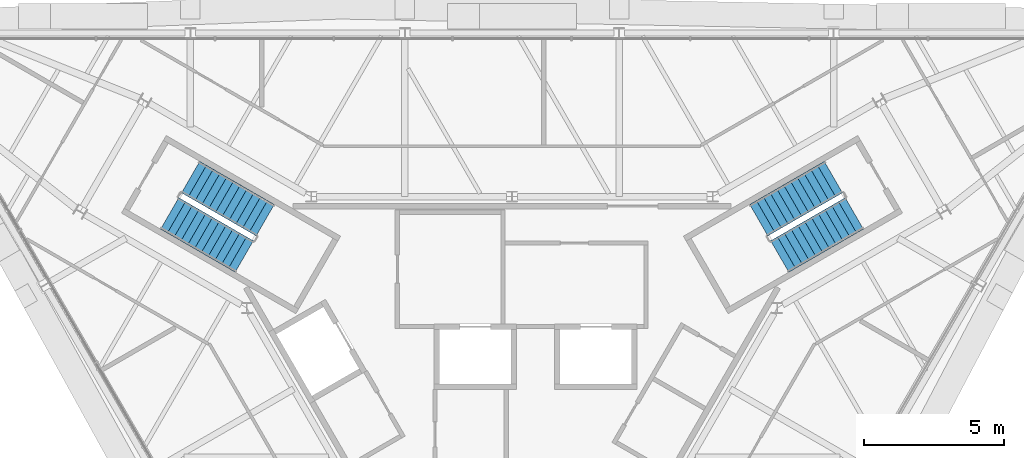
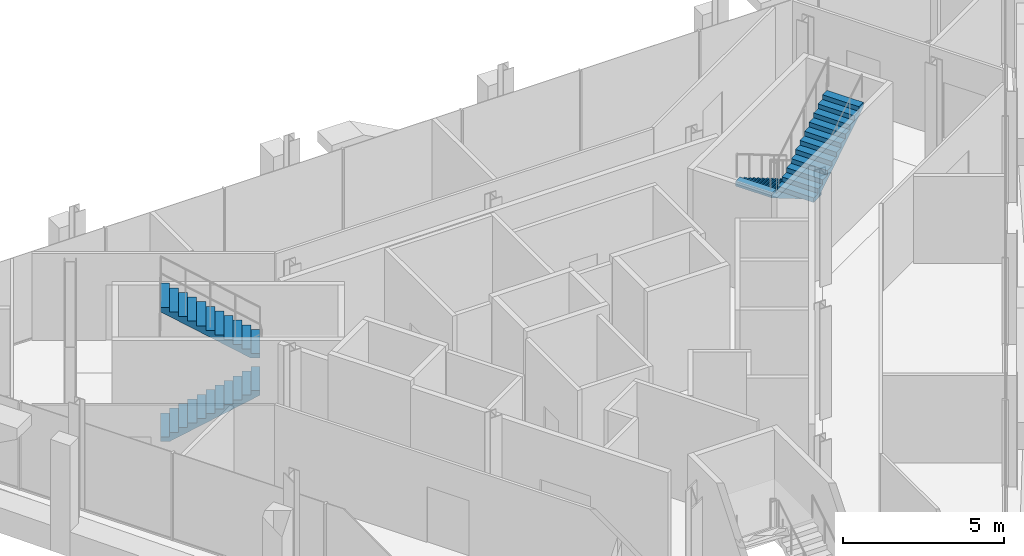
# One storey, part 11 of 13: 4 stair flights, 2 elements without a shape of their own.
"""IFC4 building model written with IfcOpenShell, lengths in metres."""

from ifc_helpers import new_model, si_unit, direction, frame, origin, place, context, subcontext, project, spatial, polyline, outline, extrude, material, type_object, element, aggregate, save


model = new_model("IFC4")

# Units and contexts
model_context = context("Model", 3, precision=1e-05, world=origin(), true_north=direction((0.0, 1.0)))
body_context = subcontext(model_context, "Body", "Model", "MODEL_VIEW")
ifc_project = project(units=[si_unit("LENGTHUNIT", "METRE"), si_unit("AREAUNIT", "SQUARE_METRE"), si_unit("VOLUMEUNIT", "CUBIC_METRE"), si_unit("PLANEANGLEUNIT", "RADIAN"), si_unit("MASSUNIT", "GRAM", prefix="KILO")], contexts=[model_context])

# Site, building, storey
site_placement = place(None, origin())
site = spatial("IfcSite", under=ifc_project, at=site_placement, CompositionType="ELEMENT")
building_placement = place(site_placement, origin())
building = spatial("IfcBuilding", under=site, at=building_placement, Name="Verrane Prism Tower", CompositionType="ELEMENT")
storey_placement = place(building_placement, frame((0.0, 0.0, 312.60009765625)))
storey = spatial("IfcBuildingStorey", under=building, at=storey_placement, Name="L79", CompositionType="ELEMENT", Elevation=312.60009765625)

# Stair, stair flights
ifc_material_1 = material(Name="Concrete C40/50", Category="concrete")
stair_type = type_object("IfcStairType", Name="Exit stair 1300 dog-leg precast concrete C40/50", PredefinedType="HALF_TURN_STAIR", material=ifc_material_1)
stair_1_placement = place(storey_placement, origin())
stair_1 = element("IfcStair", 1, at=stair_1_placement, inside=storey, type_object=stair_type, Name="Stair 1 L79", PredefinedType="HALF_TURN_STAIR")
ifc_material_2 = material(Name="Concrete C40/50", Category="concrete")
stair_flight_type = type_object("IfcStairFlightType", Name="Stair flight 1300 precast concrete C40/50", PredefinedType="STRAIGHT", material=ifc_material_2)
stair_flight_1_placement = place(storey_placement, frame((11.489501953125, 7.49951171875, 0.0), z_axis=(0.0, 0.0, 1.0), x_axis=(-0.866025403784, -0.5, 0.0)))
stair_flight_1 = element("IfcStairFlight", 2, at=stair_flight_1_placement, type_object=stair_flight_type, Name="Stair 1 flight 1", NumberOfRisers=12, NumberOfTreads=11, PredefinedType="STRAIGHT", RiserHeight=0.175, TreadLength=0.28, context=body_context, shape_type="SweptSolid", body=[
    extrude(outline(polyline([(0.0, 0.0), (0.0, 0.175048828125), (0.280029296875, 0.175048828125), (0.280029296875, 0.35009765625), (0.56005859375, 0.35009765625), (0.56005859375, 0.52490234375), (0.840087890625, 0.52490234375), (0.840087890625, 0.699951171875), (1.1201171875, 0.699951171875), (1.1201171875, 0.875), (1.39990234375, 0.875), (1.39990234375, 1.050048828125), (1.679931640625, 1.050048828125), (1.679931640625, 1.22509765625), (1.9599609375, 1.22509765625), (1.9599609375, 1.39990234375), (2.239990234375, 1.39990234375), (2.239990234375, 1.574951171875), (2.52001953125, 1.574951171875), (2.52001953125, 1.75), (2.800048828125, 1.75), (2.800048828125, 1.925048828125), (3.080078125, 1.925048828125), (3.080078125, 2.10009765625), (3.080078125, 1.748291015625), (0.28271484375, 0.0), (0.0, 0.0)])), frame((0.0, 0.64990234375, 0.0), z_axis=(0.0, -1.0, 0.0), x_axis=(1.0, 0.0, 0.0)), (0.0, 0.0, 1.0), 1.300048828125),
])
stair_flight_2_placement = place(storey_placement, frame((9.572265625, 4.660400390625, 2.099853515625), z_axis=(0.0, 0.0, 1.0), x_axis=(0.866025403784, 0.5, 0.0)))
stair_flight_2 = element("IfcStairFlight", 3, at=stair_flight_2_placement, type_object=stair_flight_type, Name="Stair 1 flight 2", NumberOfRisers=12, NumberOfTreads=11, PredefinedType="STRAIGHT", RiserHeight=0.175, TreadLength=0.28, context=body_context, shape_type="SweptSolid", body=[
    extrude(outline(polyline([(0.0, 0.0), (0.0, 0.175048828125), (0.280029296875, 0.175048828125), (0.280029296875, 0.35009765625), (0.56005859375, 0.35009765625), (0.56005859375, 0.52490234375), (0.840087890625, 0.52490234375), (0.840087890625, 0.699951171875), (1.1201171875, 0.699951171875), (1.1201171875, 0.875), (1.39990234375, 0.875), (1.39990234375, 1.050048828125), (1.679931640625, 1.050048828125), (1.679931640625, 1.22509765625), (1.9599609375, 1.22509765625), (1.9599609375, 1.39990234375), (2.239990234375, 1.39990234375), (2.239990234375, 1.574951171875), (2.52001953125, 1.574951171875), (2.52001953125, 1.75), (2.800048828125, 1.75), (2.800048828125, 1.925048828125), (3.080078125, 1.925048828125), (3.080078125, 2.10009765625), (3.080078125, 1.748291015625), (0.28271484375, 0.0), (0.0, 0.0)])), frame((0.0, 0.64990234375, 0.0), z_axis=(0.0, -1.0, 0.0), x_axis=(1.0, 0.0, 0.0)), (0.0, 0.0, 1.0), 1.300048828125),
])
aggregate(stair_1, [stair_flight_1, stair_flight_2])

stair_2_placement = place(storey_placement, origin())
stair_2 = element("IfcStair", 4, at=stair_2_placement, inside=storey, type_object=stair_type, Name="Stair 2 L79", PredefinedType="HALF_TURN_STAIR")
stair_flight_3_placement = place(storey_placement, frame((-12.239501953125, 6.200439453125, 0.0), z_axis=(0.0, 0.0, 1.0), x_axis=(0.866025403784, -0.5, 0.0)))
stair_flight_3 = element("IfcStairFlight", 5, at=stair_flight_3_placement, type_object=stair_flight_type, Name="Stair 2 flight 1", NumberOfRisers=12, NumberOfTreads=11, PredefinedType="STRAIGHT", RiserHeight=0.175, TreadLength=0.28, context=body_context, shape_type="SweptSolid", body=[
    extrude(outline(polyline([(0.0, 0.0), (0.0, 0.175048828125), (0.280029296875, 0.175048828125), (0.280029296875, 0.35009765625), (0.56005859375, 0.35009765625), (0.56005859375, 0.52490234375), (0.840087890625, 0.52490234375), (0.840087890625, 0.699951171875), (1.1201171875, 0.699951171875), (1.1201171875, 0.875), (1.39990234375, 0.875), (1.39990234375, 1.050048828125), (1.679931640625, 1.050048828125), (1.679931640625, 1.22509765625), (1.9599609375, 1.22509765625), (1.9599609375, 1.39990234375), (2.239990234375, 1.39990234375), (2.239990234375, 1.574951171875), (2.52001953125, 1.574951171875), (2.52001953125, 1.75), (2.800048828125, 1.75), (2.800048828125, 1.925048828125), (3.080078125, 1.925048828125), (3.080078125, 2.10009765625), (3.080078125, 1.748291015625), (0.28271484375, 0.0), (0.0, 0.0)])), frame((0.0, 0.64990234375, 0.0), z_axis=(0.0, -1.0, 0.0), x_axis=(1.0, 0.0, 0.0)), (0.0, 0.0, 1.0), 1.300048828125),
])
stair_flight_4_placement = place(storey_placement, frame((-8.822265625, 5.95947265625, 2.099853515625), z_axis=(0.0, 0.0, 1.0), x_axis=(-0.866025403784, 0.5, 0.0)))
stair_flight_4 = element("IfcStairFlight", 6, at=stair_flight_4_placement, type_object=stair_flight_type, Name="Stair 2 flight 2", NumberOfRisers=12, NumberOfTreads=11, PredefinedType="STRAIGHT", RiserHeight=0.175, TreadLength=0.28, context=body_context, shape_type="SweptSolid", body=[
    extrude(outline(polyline([(0.0, 0.0), (0.0, 0.175048828125), (0.280029296875, 0.175048828125), (0.280029296875, 0.35009765625), (0.56005859375, 0.35009765625), (0.56005859375, 0.52490234375), (0.840087890625, 0.52490234375), (0.840087890625, 0.699951171875), (1.1201171875, 0.699951171875), (1.1201171875, 0.875), (1.39990234375, 0.875), (1.39990234375, 1.050048828125), (1.679931640625, 1.050048828125), (1.679931640625, 1.22509765625), (1.9599609375, 1.22509765625), (1.9599609375, 1.39990234375), (2.239990234375, 1.39990234375), (2.239990234375, 1.574951171875), (2.52001953125, 1.574951171875), (2.52001953125, 1.75), (2.800048828125, 1.75), (2.800048828125, 1.925048828125), (3.080078125, 1.925048828125), (3.080078125, 2.10009765625), (3.080078125, 1.748291015625), (0.28271484375, 0.0), (0.0, 0.0)])), frame((0.0, 0.64990234375, 0.0), z_axis=(0.0, -1.0, 0.0), x_axis=(1.0, 0.0, 0.0)), (0.0, 0.0, 1.0), 1.300048828125),
])
aggregate(stair_2, [stair_flight_3, stair_flight_4])

save(model, "model.ifc")
